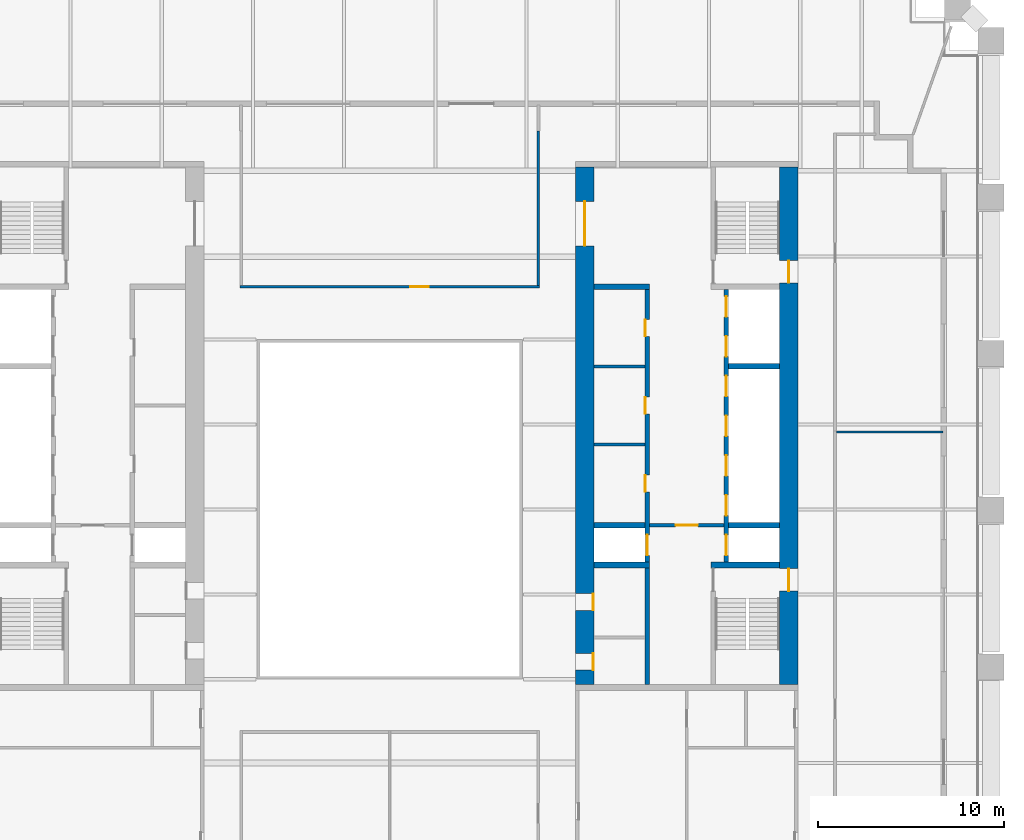
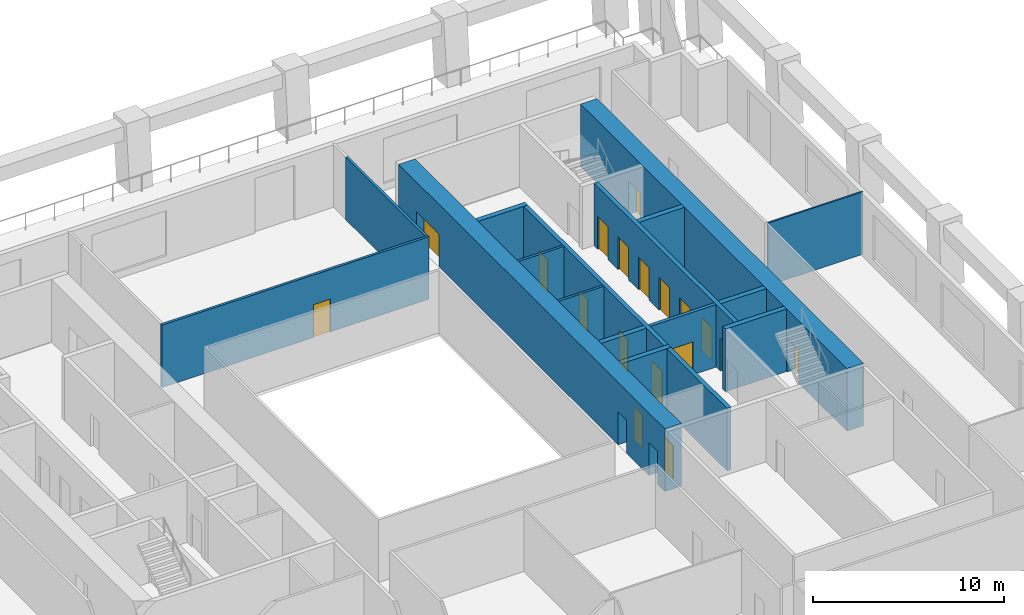
# One storey, part 6 of 8: 18 doors, 16 walls, 18 openings.
"""IFC4 building model written with IfcOpenShell, lengths in metres."""

from ifc_helpers import new_model, si_unit, direction, frame, frame_2d, origin, place, context, subcontext, project, spatial, rectangle, extrude, material, layer, layer_set, type_object, element, fill, save


model = new_model("IFC4")

# Units and contexts
model_context = context("Model", 3, precision=1e-05, world=origin(), true_north=direction((0.0, 1.0)))
body_context = subcontext(model_context, "Body", "Model", "MODEL_VIEW")
ifc_project = project(units=[si_unit("LENGTHUNIT", "METRE"), si_unit("AREAUNIT", "SQUARE_METRE"), si_unit("VOLUMEUNIT", "CUBIC_METRE"), si_unit("PLANEANGLEUNIT", "RADIAN"), si_unit("MASSUNIT", "GRAM", prefix="KILO")], contexts=[model_context])

# Site, building, storey
site_placement = place(None, origin())
site = spatial("IfcSite", under=ifc_project, at=site_placement, CompositionType="ELEMENT")
building_placement = place(site_placement, origin())
building = spatial("IfcBuilding", under=site, at=building_placement, Name="Ogive Exchange Tower", CompositionType="ELEMENT")
storey_placement = place(building_placement, frame((0.0, 0.0, 81.60009765625)))
storey = spatial("IfcBuildingStorey", under=building, at=storey_placement, Name="L17", CompositionType="ELEMENT", Elevation=81.60009765625)

# Walls
ifc_material_1 = material(Name="Gypsum board partition")
ifc_layer_1 = layer(ifc_material_1, 0.14990234375)
ifc_layer_set_1 = layer_set([ifc_layer_1], Name="Core room partition 150 gypsum")
wall_type_1 = type_object("IfcWallType", Name="Core room partition 150 gypsum", PredefinedType="PARTITIONING", material=ifc_layer_set_1)
for number, where, z_axis, x_axis, name in (
    (1, (11.0, 10.5, 0.0), (0.0, 0.0, 1.0), (1.0, 0.0, 0.0), "E row B bay partition 1-1"),
    (2, (11.0, 14.699951171875, 0.0), (0.0, 0.0, 1.0), (1.0, 0.0, 0.0), "E row B bay partition 1-2"),
):
    element("IfcWall", number, at=place(storey_placement, frame(where, z_axis=z_axis, x_axis=x_axis)), inside=storey, type_object=wall_type_1, Name=name, PredefinedType="PARTITIONING", context=body_context, shape_type="SweptSolid", body=[
        extrude(rectangle(XDim=2.75, YDim=0.14990234375, at=frame_2d((1.375, 0.0))), origin(), (0.0, 0.0, 1.0), 4.0),
    ])
ifc_layer_2 = layer(ifc_material_1, 0.300048828125)
ifc_layer_set_2 = layer_set([ifc_layer_2], Name="Core room partition 300 gypsum")
wall_type_2 = type_object("IfcWallType", Name="Core room partition 300 gypsum", PredefinedType="PARTITIONING", material=ifc_layer_set_2)
wall_1_placement = place(storey_placement, frame((11.0, 19.0, 0.0), z_axis=(0.0, 0.0, 1.0), x_axis=(1.0, 0.0, 0.0)))
element("IfcWall", 3, at=wall_1_placement, inside=storey, type_object=wall_type_2, Name="E row B room end wall 7", PredefinedType="PARTITIONING", context=body_context, shape_type="SweptSolid", body=[
    extrude(rectangle(XDim=3.0, YDim=0.300048828125, at=frame_2d((1.5, 0.0))), origin(), (0.0, 0.0, 1.0), 4.0),
])

# Wall, opening, door
ifc_material_2 = material(Name="Fire partition EI 60 150")
ifc_layer_3 = layer(ifc_material_2, 0.14990234375)
ifc_layer_set_3 = layer_set([ifc_layer_3], Name="Fire partition EI 60 150")
wall_type_3 = type_object("IfcWallType", Name="Fire partition EI 60 150", PredefinedType="PARTITIONING", material=ifc_layer_set_3)
wall_2_placement = place(storey_placement, frame((-8.074951171875, 19.0, 0.0), z_axis=(0.0, 0.0, 1.0), x_axis=(1.0, 0.0, 0.0)))
wall_2 = element("IfcWall", 4, at=wall_2_placement, inside=storey, type_object=wall_type_3, Name="L17-PWL-013", PredefinedType="PARTITIONING", context=body_context, shape_type="SweptSolid", body=[
    extrude(rectangle(XDim=16.14990234375, YDim=0.14990234375, at=frame_2d((8.074951171875, 0.0))), origin(), (0.0, 0.0, 1.0), 4.0),
])
opening_1_placement = place(wall_2_placement, frame((9.175048828125, 0.0, 0.0)))
opening_1 = element("IfcOpeningElement", 5, at=opening_1_placement, cuts=wall_2, Name="Opening L17-I09", PredefinedType="OPENING", context=body_context, shape_type="SweptSolid", body=[
    extrude(rectangle(XDim=1.0, YDim=2.10009765625, at=frame_2d((0.5, 1.050048828125))), frame((0.0, 0.0849609375, 0.0), z_axis=(0.0, -1.0, 0.0), x_axis=(1.0, 0.0, 0.0)), (0.0, 0.0, 1.0), 0.169921875),
])
ifc_material_3 = material(Name="Fire door FD 30S 1000 x 2100")
door_type_1 = type_object("IfcDoorType", Name="Fire door FD 30S 1000 x 2100", OperationType="NOTDEFINED", PredefinedType="DOOR", material=ifc_material_3)
door_1_placement = place(opening_1_placement, origin())
door_1 = element("IfcDoor", 6, at=door_1_placement, inside=storey, type_object=door_type_1, Name="L17-IDR-009", ObjectType="DT3", OperationType="SINGLE_SWING_RIGHT", OverallHeight=2.10009765625, OverallWidth=1.0, PredefinedType="DOOR", context=body_context, shape_type="SweptSolid", body=[
    extrude(rectangle(XDim=1.0, YDim=2.10009765625, at=frame_2d((0.5, 1.050048828125))), frame((0.0, 0.02490234375, 0.0), z_axis=(0.0, -1.0, 0.0), x_axis=(1.0, 0.0, 0.0)), (0.0, 0.0, 1.0), 0.050048828125),
])
fill(opening_1, door_1)

# Walls
wall_3_placement = place(storey_placement, frame((8.0, 19.074951171875, 0.0), z_axis=(0.0, 0.0, 1.0), x_axis=(0.0, 1.0, 0.0)))
element("IfcWall", 7, at=wall_3_placement, inside=storey, type_object=wall_type_3, Name="L17-PWL-024", PredefinedType="PARTITIONING", context=body_context, shape_type="SweptSolid", body=[
    extrude(rectangle(XDim=8.324951171875, YDim=0.14990234375, at=frame_2d((4.16259765625, 0.0))), origin(), (0.0, 0.0, 1.0), 4.0),
])
ifc_material_4 = material(Name="Partition 100 gypsum")
ifc_layer_4 = layer(ifc_material_4, 0.10009765625)
ifc_layer_set_4 = layer_set([ifc_layer_4], Name="Partition 100 gypsum")
wall_type_4 = type_object("IfcWallType", Name="Partition 100 gypsum", PredefinedType="PARTITIONING", material=ifc_layer_set_4)
wall_4_placement = place(storey_placement, frame((24.074951171875, 11.169921875, 0.0), z_axis=(0.0, 0.0, 1.0), x_axis=(1.0, 0.0, 0.0)))
element("IfcWall", 8, at=wall_4_placement, inside=storey, type_object=wall_type_4, Name="L17-PWL-034", PredefinedType="PARTITIONING", context=body_context, shape_type="SweptSolid", body=[
    extrude(rectangle(XDim=5.72509765625, YDim=0.10009765625, at=frame_2d((2.862548828125, 0.0))), origin(), (0.0, 0.0, 1.0), 4.0),
])

# Wall, openings, doors
ifc_material_5 = material(Name="Concrete C70/85", Category="concrete")
ifc_layer_5 = layer(ifc_material_5, 1.0)
ifc_layer_set_5 = layer_set([ifc_layer_5], Name="RC core wall 1000 C70/85")
wall_type_5 = type_object("IfcWallType", Name="RC core wall 1000 C70/85", PredefinedType="SHEAR", material=ifc_layer_set_5)
wall_5_placement = place(storey_placement, frame((21.5, -2.449951171875, 0.0), z_axis=(0.0, 0.0, 1.0), x_axis=(0.0, 1.0, 0.0)))
wall_5 = element("IfcWall", 9, at=wall_5_placement, inside=storey, type_object=wall_type_5, Name="E outer wall", PredefinedType="SHEAR", context=body_context, shape_type="SweptSolid", body=[
    extrude(rectangle(XDim=27.89990234375, YDim=1.0, at=frame_2d((13.949951171875, 0.0))), origin(), (0.0, 0.0, 1.0), 4.0),
])
opening_2_placement = place(wall_5_placement, frame((5.050048828125, 0.0, 0.0)))
opening_2 = element("IfcOpeningElement", 10, at=opening_2_placement, cuts=wall_5, Name="Opening L17-C36", PredefinedType="OPENING", context=body_context, shape_type="SweptSolid", body=[
    extrude(rectangle(XDim=1.199951171875, YDim=2.10009765625, at=frame_2d((0.60009765625, 1.050048828125))), frame((0.0, 0.510009765625, 0.0), z_axis=(0.0, -1.0, 0.0), x_axis=(1.0, 0.0, 0.0)), (0.0, 0.0, 1.0), 1.02001953125),
])
opening_3_placement = place(wall_5_placement, frame((21.64990234375, 0.0, 0.0)))
opening_3 = element("IfcOpeningElement", 11, at=opening_3_placement, cuts=wall_5, Name="Opening L17-C38", PredefinedType="OPENING", context=body_context, shape_type="SweptSolid", body=[
    extrude(rectangle(XDim=1.199951171875, YDim=2.10009765625, at=frame_2d((0.60009765625, 1.050048828125))), frame((0.0, 0.510009765625, 0.0), z_axis=(0.0, -1.0, 0.0), x_axis=(1.0, 0.0, 0.0)), (0.0, 0.0, 1.0), 1.02001953125),
])
ifc_material_6 = material(Name="Steel fire door", Category="steel")
door_type_2 = type_object("IfcDoorType", Name="Stair door FD90 1200 x 2100", OperationType="NOTDEFINED", PredefinedType="DOOR", material=ifc_material_6)
door_2_placement = place(opening_2_placement, origin())
door_2 = element("IfcDoor", 12, at=door_2_placement, inside=storey, type_object=door_type_2, Name="Stair door", ObjectType="CD5", OperationType="SINGLE_SWING_LEFT", OverallHeight=2.10009765625, OverallWidth=1.199951171875, PredefinedType="DOOR", context=body_context, shape_type="SweptSolid", body=[
    extrude(rectangle(XDim=1.199951171875, YDim=2.10009765625, at=frame_2d((0.60009765625, 1.050048828125))), frame((0.0, 0.02490234375, 0.0), z_axis=(0.0, -1.0, 0.0), x_axis=(1.0, 0.0, 0.0)), (0.0, 0.0, 1.0), 0.050048828125),
])
fill(opening_2, door_2)
door_3_placement = place(opening_3_placement, origin())
door_3 = element("IfcDoor", 13, at=door_3_placement, inside=storey, type_object=door_type_2, Name="Stair door", ObjectType="CD5", OperationType="SINGLE_SWING_RIGHT", OverallHeight=2.10009765625, OverallWidth=1.199951171875, PredefinedType="DOOR", context=body_context, shape_type="SweptSolid", body=[
    extrude(rectangle(XDim=1.199951171875, YDim=2.10009765625, at=frame_2d((0.60009765625, 1.050048828125))), frame((0.0, 0.02490234375, 0.0), z_axis=(0.0, -1.0, 0.0), x_axis=(1.0, 0.0, 0.0)), (0.0, 0.0, 1.0), 0.050048828125),
])
fill(opening_3, door_3)

wall_6_placement = place(storey_placement, frame((10.5, -2.449951171875, 0.0), z_axis=(0.0, 0.0, 1.0), x_axis=(0.0, 1.0, 0.0)))
wall_6 = element("IfcWall", 14, at=wall_6_placement, inside=storey, type_object=wall_type_5, Name="E inner wall", PredefinedType="SHEAR", context=body_context, shape_type="SweptSolid", body=[
    extrude(rectangle(XDim=27.89990234375, YDim=1.0, at=frame_2d((13.949951171875, 0.0))), origin(), (0.0, 0.0, 1.0), 4.0),
])
opening_4_placement = place(wall_6_placement, frame((23.64990234375, 0.0, 0.0)))
opening_4 = element("IfcOpeningElement", 15, at=opening_4_placement, cuts=wall_6, Name="Opening L17-C34", PredefinedType="OPENING", context=body_context, shape_type="SweptSolid", body=[
    extrude(rectangle(XDim=2.39990234375, YDim=2.10009765625, at=frame_2d((1.199951171875, 1.050048828125))), frame((0.0, 0.510009765625, 0.0), z_axis=(0.0, -1.0, 0.0), x_axis=(1.0, 0.0, 0.0)), (0.0, 0.0, 1.0), 1.02001953125),
])
opening_5_placement = place(wall_6_placement, frame((0.78759765625, 0.0, 0.0)))
opening_5 = element("IfcOpeningElement", 16, at=opening_5_placement, cuts=wall_6, Name="Opening L17-C39", PredefinedType="OPENING", context=body_context, shape_type="SweptSolid", body=[
    extrude(rectangle(XDim=0.89990234375, YDim=2.10009765625, at=frame_2d((0.449951171875, 1.050048828125))), frame((0.0, 0.510009765625, 0.0), z_axis=(0.0, -1.0, 0.0), x_axis=(1.0, 0.0, 0.0)), (0.0, 0.0, 1.0), 1.02001953125),
])
opening_6_placement = place(wall_6_placement, frame((4.012451171875, 0.0, 0.0)))
opening_6 = element("IfcOpeningElement", 17, at=opening_6_placement, cuts=wall_6, Name="Opening L17-C40", PredefinedType="OPENING", context=body_context, shape_type="SweptSolid", body=[
    extrude(rectangle(XDim=0.89990234375, YDim=2.10009765625, at=frame_2d((0.449951171875, 1.050048828125))), frame((0.0, 0.510009765625, 0.0), z_axis=(0.0, -1.0, 0.0), x_axis=(1.0, 0.0, 0.0)), (0.0, 0.0, 1.0), 1.02001953125),
])
ifc_material_7 = material(Name="Timber fire door", Category="wood")
door_type_3 = type_object("IfcDoorType", Name="Core room door FD30S 900 x 2100", OperationType="NOTDEFINED", PredefinedType="DOOR", material=ifc_material_7)
door_4_placement = place(opening_5_placement, frame((0.89990234375, -0.9501953125, 0.0), z_axis=(0.0, 0.0, 1.0), x_axis=(-1.0, 0.0, 0.0)))
door_4 = element("IfcDoor", 18, at=door_4_placement, inside=storey, type_object=door_type_3, Name="Core room door", ObjectType="CD6", OperationType="SINGLE_SWING_RIGHT", OverallHeight=2.10009765625, OverallWidth=0.89990234375, PredefinedType="DOOR", context=body_context, shape_type="SweptSolid", body=[
    extrude(rectangle(XDim=0.89990234375, YDim=2.10009765625, at=frame_2d((0.449951171875, 1.050048828125))), frame((0.0, -0.4501953125, 0.0), z_axis=(0.0, -1.0, 0.0), x_axis=(1.0, 0.0, 0.0)), (0.0, 0.0, 1.0), 0.050048828125),
])
fill(opening_5, door_4)
ifc_material_8 = material(Name="Glazed steel fire door", Category="steel")
door_type_4 = type_object("IfcDoorType", Name="Lift lobby double door FD60 2400 x 2100", OperationType="DOUBLE_DOOR_SINGLE_SWING", PredefinedType="DOOR", material=ifc_material_8)
door_5_placement = place(opening_4_placement, frame((2.39990234375, 0.0, 0.0), z_axis=(0.0, 0.0, 1.0), x_axis=(-1.0, 0.0, 0.0)))
door_5 = element("IfcDoor", 19, at=door_5_placement, inside=storey, type_object=door_type_4, Name="Lift lobby double door", ObjectType="CD4", OperationType="DOUBLE_DOOR_SINGLE_SWING", OverallHeight=2.10009765625, OverallWidth=2.39990234375, PredefinedType="DOOR", context=body_context, shape_type="SweptSolid", body=[
    extrude(rectangle(XDim=2.39990234375, YDim=2.10009765625, at=frame_2d((1.199951171875, 1.050048828125))), frame((0.0, 0.02490234375, 0.0), z_axis=(0.0, -1.0, 0.0), x_axis=(1.0, 0.0, 0.0)), (0.0, 0.0, 1.0), 0.050048828125),
])
fill(opening_4, door_5)
door_type_5 = type_object("IfcDoorType", Name="Riser door FD60 900 x 2100", OperationType="NOTDEFINED", PredefinedType="DOOR", material=ifc_material_6)
door_6_placement = place(opening_6_placement, frame((0.89990234375, -0.9501953125, 0.0), z_axis=(0.0, 0.0, 1.0), x_axis=(-1.0, 0.0, 0.0)))
door_6 = element("IfcDoor", 20, at=door_6_placement, inside=storey, type_object=door_type_5, Name="Riser door", ObjectType="CD2", OperationType="SINGLE_SWING_LEFT", OverallHeight=2.10009765625, OverallWidth=0.89990234375, PredefinedType="DOOR", context=body_context, shape_type="SweptSolid", body=[
    extrude(rectangle(XDim=0.89990234375, YDim=2.10009765625, at=frame_2d((0.449951171875, 1.050048828125))), frame((0.0, -0.4501953125, 0.0), z_axis=(0.0, -1.0, 0.0), x_axis=(1.0, 0.0, 0.0)), (0.0, 0.0, 1.0), 0.050048828125),
])
fill(opening_6, door_6)

# Wall, opening, door
ifc_layer_6 = layer(ifc_material_5, 0.199951171875)
ifc_layer_set_6 = layer_set([ifc_layer_6], Name="RC core wall 200 C70/85")
wall_type_6 = type_object("IfcWallType", Name="RC core wall 200 C70/85", PredefinedType="SHEAR", material=ifc_layer_set_6)
wall_7_placement = place(storey_placement, frame((14.0, 6.142822265625, 0.0), z_axis=(0.0, 0.0, 1.0), x_axis=(1.0, 0.0, 0.0)))
wall_7 = element("IfcWall", 21, at=wall_7_placement, inside=storey, type_object=wall_type_6, Name="E firefighting lobby wall", PredefinedType="SHEAR", context=body_context, shape_type="SweptSolid", body=[
    extrude(rectangle(XDim=4.0, YDim=0.199951171875, at=frame_2d((2.0, 0.0))), origin(), (0.0, 0.0, 1.0), 4.0),
])
opening_7_placement = place(wall_7_placement, frame((1.39990234375, 0.0, 0.0)))
opening_7 = element("IfcOpeningElement", 22, at=opening_7_placement, cuts=wall_7, Name="Opening L17-C33", PredefinedType="OPENING", context=body_context, shape_type="SweptSolid", body=[
    extrude(rectangle(XDim=1.199951171875, YDim=2.10009765625, at=frame_2d((0.60009765625, 1.050048828125))), frame((0.0, 0.10986328125, 0.0), z_axis=(0.0, -1.0, 0.0), x_axis=(1.0, 0.0, 0.0)), (0.0, 0.0, 1.0), 0.219970703125),
])
door_type_6 = type_object("IfcDoorType", Name="Firefighting lobby door FD60 1200 x 2100", OperationType="NOTDEFINED", PredefinedType="DOOR", material=ifc_material_6)
door_7_placement = place(opening_7_placement, frame((1.199951171875, 0.0, 0.0), z_axis=(0.0, 0.0, 1.0), x_axis=(-1.0, 0.0, 0.0)))
door_7 = element("IfcDoor", 23, at=door_7_placement, inside=storey, type_object=door_type_6, Name="Firefighting lobby door", ObjectType="CD3", OperationType="SINGLE_SWING_RIGHT", OverallHeight=2.10009765625, OverallWidth=1.199951171875, PredefinedType="DOOR", context=body_context, shape_type="SweptSolid", body=[
    extrude(rectangle(XDim=1.199951171875, YDim=2.10009765625, at=frame_2d((0.60009765625, 1.050048828125))), frame((0.0, 0.02490234375, 0.0), z_axis=(0.0, -1.0, 0.0), x_axis=(1.0, 0.0, 0.0)), (0.0, 0.0, 1.0), 0.050048828125),
])
fill(opening_7, door_7)

# Wall, openings, doors
ifc_layer_7 = layer(ifc_material_5, 0.25)
ifc_layer_set_7 = layer_set([ifc_layer_7], Name="RC core wall 250 C70/85")
wall_type_7 = type_object("IfcWallType", Name="RC core wall 250 C70/85", PredefinedType="SHEAR", material=ifc_layer_set_7)
wall_8_placement = place(storey_placement, frame((18.125, 4.14990234375, 0.0), z_axis=(0.0, 0.0, 1.0), x_axis=(0.0, 1.0, 0.0)))
wall_8 = element("IfcWall", 24, at=wall_8_placement, inside=storey, type_object=wall_type_7, Name="E row A front wall", PredefinedType="SHEAR", context=body_context, shape_type="SweptSolid", body=[
    extrude(rectangle(XDim=14.7001953125, YDim=0.25, at=frame_2d((7.35009765625, 0.0))), origin(), (0.0, 0.0, 1.0), 4.0),
])
opening_8_placement = place(wall_8_placement, frame((0.371337890625, 0.0, 0.0)))
opening_8 = element("IfcOpeningElement", 25, at=opening_8_placement, cuts=wall_8, Name="Opening L17-C22", PredefinedType="OPENING", context=body_context, shape_type="SweptSolid", body=[
    extrude(rectangle(XDim=1.10009765625, YDim=2.10009765625, at=frame_2d((0.550048828125, 1.050048828125))), frame((0.0, 0.135009765625, 0.0), z_axis=(0.0, -1.0, 0.0), x_axis=(1.0, 0.0, 0.0)), (0.0, 0.0, 1.0), 0.27001953125),
])
opening_9_placement = place(wall_8_placement, frame((2.514404296875, 0.0, 0.0)))
opening_9 = element("IfcOpeningElement", 26, at=opening_9_placement, cuts=wall_8, Name="Opening L17-C23", PredefinedType="OPENING", context=body_context, shape_type="SweptSolid", body=[
    extrude(rectangle(XDim=1.10009765625, YDim=2.10009765625, at=frame_2d((0.550048828125, 1.050048828125))), frame((0.0, 0.135009765625, 0.0), z_axis=(0.0, -1.0, 0.0), x_axis=(1.0, 0.0, 0.0)), (0.0, 0.0, 1.0), 0.27001953125),
])
opening_10_placement = place(wall_8_placement, frame((4.656982421875, 0.0, 0.0)))
opening_10 = element("IfcOpeningElement", 27, at=opening_10_placement, cuts=wall_8, Name="Opening L17-C24", PredefinedType="OPENING", context=body_context, shape_type="SweptSolid", body=[
    extrude(rectangle(XDim=1.10009765625, YDim=2.10009765625, at=frame_2d((0.550048828125, 1.050048828125))), frame((0.0, 0.135009765625, 0.0), z_axis=(0.0, -1.0, 0.0), x_axis=(1.0, 0.0, 0.0)), (0.0, 0.0, 1.0), 0.27001953125),
])
opening_11_placement = place(wall_8_placement, frame((6.800048828125, 0.0, 0.0)))
opening_11 = element("IfcOpeningElement", 28, at=opening_11_placement, cuts=wall_8, Name="Opening L17-C25", PredefinedType="OPENING", context=body_context, shape_type="SweptSolid", body=[
    extrude(rectangle(XDim=1.10009765625, YDim=2.10009765625, at=frame_2d((0.550048828125, 1.050048828125))), frame((0.0, 0.135009765625, 0.0), z_axis=(0.0, -1.0, 0.0), x_axis=(1.0, 0.0, 0.0)), (0.0, 0.0, 1.0), 0.27001953125),
])
opening_12_placement = place(wall_8_placement, frame((8.94287109375, 0.0, 0.0)))
opening_12 = element("IfcOpeningElement", 29, at=opening_12_placement, cuts=wall_8, Name="Opening L17-C26", PredefinedType="OPENING", context=body_context, shape_type="SweptSolid", body=[
    extrude(rectangle(XDim=1.10009765625, YDim=2.10009765625, at=frame_2d((0.550048828125, 1.050048828125))), frame((0.0, 0.135009765625, 0.0), z_axis=(0.0, -1.0, 0.0), x_axis=(1.0, 0.0, 0.0)), (0.0, 0.0, 1.0), 0.27001953125),
])
opening_13_placement = place(wall_8_placement, frame((11.085693359375, 0.0, 0.0)))
opening_13 = element("IfcOpeningElement", 30, at=opening_13_placement, cuts=wall_8, Name="Opening L17-C27", PredefinedType="OPENING", context=body_context, shape_type="SweptSolid", body=[
    extrude(rectangle(XDim=1.10009765625, YDim=2.10009765625, at=frame_2d((0.550048828125, 1.050048828125))), frame((0.0, 0.135009765625, 0.0), z_axis=(0.0, -1.0, 0.0), x_axis=(1.0, 0.0, 0.0)), (0.0, 0.0, 1.0), 0.27001953125),
])
opening_14_placement = place(wall_8_placement, frame((13.228515625, 0.0, 0.0)))
opening_14 = element("IfcOpeningElement", 31, at=opening_14_placement, cuts=wall_8, Name="Opening L17-C28", PredefinedType="OPENING", context=body_context, shape_type="SweptSolid", body=[
    extrude(rectangle(XDim=1.10009765625, YDim=2.10009765625, at=frame_2d((0.550048828125, 1.050048828125))), frame((0.0, 0.135009765625, 0.0), z_axis=(0.0, -1.0, 0.0), x_axis=(1.0, 0.0, 0.0)), (0.0, 0.0, 1.0), 0.27001953125),
])
ifc_material_9 = material(Name="Stainless steel", Category="steel")
door_type_7 = type_object("IfcDoorType", Name="Lift landing door FD90 1100 x 2100", OperationType="SLIDING_TO_LEFT", PredefinedType="DOOR", material=ifc_material_9)
door_8_placement = place(opening_8_placement, origin())
door_8 = element("IfcDoor", 32, at=door_8_placement, inside=storey, type_object=door_type_7, Name="Lift landing door FF2", ObjectType="LD", OperationType="SLIDING_TO_LEFT", OverallHeight=2.10009765625, OverallWidth=1.10009765625, PredefinedType="DOOR", context=body_context, shape_type="SweptSolid", body=[
    extrude(rectangle(XDim=1.10009765625, YDim=2.10009765625, at=frame_2d((0.550048828125, 1.050048828125))), frame((0.0, 0.02490234375, 0.0), z_axis=(0.0, -1.0, 0.0), x_axis=(1.0, 0.0, 0.0)), (0.0, 0.0, 1.0), 0.050048828125),
])
fill(opening_8, door_8)
door_9_placement = place(opening_9_placement, origin())
door_9 = element("IfcDoor", 33, at=door_9_placement, inside=storey, type_object=door_type_7, Name="Lift landing door E-L1", ObjectType="LD", OperationType="SLIDING_TO_LEFT", OverallHeight=2.10009765625, OverallWidth=1.10009765625, PredefinedType="DOOR", context=body_context, shape_type="SweptSolid", body=[
    extrude(rectangle(XDim=1.10009765625, YDim=2.10009765625, at=frame_2d((0.550048828125, 1.050048828125))), frame((0.0, 0.02490234375, 0.0), z_axis=(0.0, -1.0, 0.0), x_axis=(1.0, 0.0, 0.0)), (0.0, 0.0, 1.0), 0.050048828125),
])
fill(opening_9, door_9)
door_10_placement = place(opening_10_placement, origin())
door_10 = element("IfcDoor", 34, at=door_10_placement, inside=storey, type_object=door_type_7, Name="Lift landing door E-L2", ObjectType="LD", OperationType="SLIDING_TO_LEFT", OverallHeight=2.10009765625, OverallWidth=1.10009765625, PredefinedType="DOOR", context=body_context, shape_type="SweptSolid", body=[
    extrude(rectangle(XDim=1.10009765625, YDim=2.10009765625, at=frame_2d((0.550048828125, 1.050048828125))), frame((0.0, 0.02490234375, 0.0), z_axis=(0.0, -1.0, 0.0), x_axis=(1.0, 0.0, 0.0)), (0.0, 0.0, 1.0), 0.050048828125),
])
fill(opening_10, door_10)
door_11_placement = place(opening_11_placement, origin())
door_11 = element("IfcDoor", 35, at=door_11_placement, inside=storey, type_object=door_type_7, Name="Lift landing door E-L3", ObjectType="LD", OperationType="SLIDING_TO_LEFT", OverallHeight=2.10009765625, OverallWidth=1.10009765625, PredefinedType="DOOR", context=body_context, shape_type="SweptSolid", body=[
    extrude(rectangle(XDim=1.10009765625, YDim=2.10009765625, at=frame_2d((0.550048828125, 1.050048828125))), frame((0.0, 0.02490234375, 0.0), z_axis=(0.0, -1.0, 0.0), x_axis=(1.0, 0.0, 0.0)), (0.0, 0.0, 1.0), 0.050048828125),
])
fill(opening_11, door_11)
door_12_placement = place(opening_12_placement, origin())
door_12 = element("IfcDoor", 36, at=door_12_placement, inside=storey, type_object=door_type_7, Name="Lift landing door E-L4", ObjectType="LD", OperationType="SLIDING_TO_LEFT", OverallHeight=2.10009765625, OverallWidth=1.10009765625, PredefinedType="DOOR", context=body_context, shape_type="SweptSolid", body=[
    extrude(rectangle(XDim=1.10009765625, YDim=2.10009765625, at=frame_2d((0.550048828125, 1.050048828125))), frame((0.0, 0.02490234375, 0.0), z_axis=(0.0, -1.0, 0.0), x_axis=(1.0, 0.0, 0.0)), (0.0, 0.0, 1.0), 0.050048828125),
])
fill(opening_12, door_12)
door_13_placement = place(opening_13_placement, origin())
door_13 = element("IfcDoor", 37, at=door_13_placement, inside=storey, type_object=door_type_7, Name="Lift landing door E-SH1", ObjectType="LD", OperationType="SLIDING_TO_LEFT", OverallHeight=2.10009765625, OverallWidth=1.10009765625, PredefinedType="DOOR", context=body_context, shape_type="SweptSolid", body=[
    extrude(rectangle(XDim=1.10009765625, YDim=2.10009765625, at=frame_2d((0.550048828125, 1.050048828125))), frame((0.0, 0.02490234375, 0.0), z_axis=(0.0, -1.0, 0.0), x_axis=(1.0, 0.0, 0.0)), (0.0, 0.0, 1.0), 0.050048828125),
])
fill(opening_13, door_13)
door_14_placement = place(opening_14_placement, origin())
door_14 = element("IfcDoor", 38, at=door_14_placement, inside=storey, type_object=door_type_7, Name="Lift landing door E-SH2", ObjectType="LD", OperationType="SLIDING_TO_LEFT", OverallHeight=2.10009765625, OverallWidth=1.10009765625, PredefinedType="DOOR", context=body_context, shape_type="SweptSolid", body=[
    extrude(rectangle(XDim=1.10009765625, YDim=2.10009765625, at=frame_2d((0.550048828125, 1.050048828125))), frame((0.0, 0.02490234375, 0.0), z_axis=(0.0, -1.0, 0.0), x_axis=(1.0, 0.0, 0.0)), (0.0, 0.0, 1.0), 0.050048828125),
])
fill(opening_14, door_14)

wall_9_placement = place(storey_placement, frame((13.875, -2.449951171875, 0.0), z_axis=(0.0, 0.0, 1.0), x_axis=(0.0, 1.0, 0.0)))
wall_9 = element("IfcWall", 39, at=wall_9_placement, inside=storey, type_object=wall_type_7, Name="E row B front wall", PredefinedType="SHEAR", context=body_context, shape_type="SweptSolid", body=[
    extrude(rectangle(XDim=21.300048828125, YDim=0.25, at=frame_2d((10.64990234375, 0.0))), origin(), (0.0, 0.0, 1.0), 4.0),
])
opening_15_placement = place(wall_9_placement, frame((10.396484375, 0.0, 0.0)))
opening_15 = element("IfcOpeningElement", 40, at=opening_15_placement, cuts=wall_9, Name="Opening L17-C29", PredefinedType="OPENING", context=body_context, shape_type="SweptSolid", body=[
    extrude(rectangle(XDim=0.89990234375, YDim=2.10009765625, at=frame_2d((0.449951171875, 1.050048828125))), frame((0.0, 0.135009765625, 0.0), z_axis=(0.0, -1.0, 0.0), x_axis=(1.0, 0.0, 0.0)), (0.0, 0.0, 1.0), 0.27001953125),
])
opening_16_placement = place(wall_9_placement, frame((14.60009765625, 0.0, 0.0)))
opening_16 = element("IfcOpeningElement", 41, at=opening_16_placement, cuts=wall_9, Name="Opening L17-C30", PredefinedType="OPENING", context=body_context, shape_type="SweptSolid", body=[
    extrude(rectangle(XDim=0.89990234375, YDim=2.10009765625, at=frame_2d((0.449951171875, 1.050048828125))), frame((0.0, 0.135009765625, 0.0), z_axis=(0.0, -1.0, 0.0), x_axis=(1.0, 0.0, 0.0)), (0.0, 0.0, 1.0), 0.27001953125),
])
opening_17_placement = place(wall_9_placement, frame((18.77490234375, 0.0, 0.0)))
opening_17 = element("IfcOpeningElement", 42, at=opening_17_placement, cuts=wall_9, Name="Opening L17-C31", PredefinedType="OPENING", context=body_context, shape_type="SweptSolid", body=[
    extrude(rectangle(XDim=0.89990234375, YDim=2.10009765625, at=frame_2d((0.449951171875, 1.050048828125))), frame((0.0, 0.135009765625, 0.0), z_axis=(0.0, -1.0, 0.0), x_axis=(1.0, 0.0, 0.0)), (0.0, 0.0, 1.0), 0.27001953125),
])
opening_18_placement = place(wall_9_placement, frame((6.971435546875, 0.0, 0.0)))
opening_18 = element("IfcOpeningElement", 43, at=opening_18_placement, cuts=wall_9, Name="Opening L17-C32", PredefinedType="OPENING", context=body_context, shape_type="SweptSolid", body=[
    extrude(rectangle(XDim=1.10009765625, YDim=2.10009765625, at=frame_2d((0.550048828125, 1.050048828125))), frame((0.0, 0.135009765625, 0.0), z_axis=(0.0, -1.0, 0.0), x_axis=(1.0, 0.0, 0.0)), (0.0, 0.0, 1.0), 0.27001953125),
])
door_15_placement = place(opening_16_placement, origin())
door_15 = element("IfcDoor", 44, at=door_15_placement, inside=storey, type_object=door_type_3, Name="Core room door", ObjectType="CD6", OperationType="SINGLE_SWING_LEFT", OverallHeight=2.10009765625, OverallWidth=0.89990234375, PredefinedType="DOOR", context=body_context, shape_type="SweptSolid", body=[
    extrude(rectangle(XDim=0.89990234375, YDim=2.10009765625, at=frame_2d((0.449951171875, 1.050048828125))), frame((0.0, 0.125, 0.0), z_axis=(0.0, -1.0, 0.0), x_axis=(1.0, 0.0, 0.0)), (0.0, 0.0, 1.0), 0.050048828125),
])
fill(opening_16, door_15)
door_16_placement = place(opening_18_placement, origin())
door_16 = element("IfcDoor", 45, at=door_16_placement, inside=storey, type_object=door_type_7, Name="Lift landing door SV2", ObjectType="LD", OperationType="SLIDING_TO_LEFT", OverallHeight=2.10009765625, OverallWidth=1.10009765625, PredefinedType="DOOR", context=body_context, shape_type="SweptSolid", body=[
    extrude(rectangle(XDim=1.10009765625, YDim=2.10009765625, at=frame_2d((0.550048828125, 1.050048828125))), frame((0.0, 0.02490234375, 0.0), z_axis=(0.0, -1.0, 0.0), x_axis=(1.0, 0.0, 0.0)), (0.0, 0.0, 1.0), 0.050048828125),
])
fill(opening_18, door_16)
door_17_placement = place(opening_15_placement, origin())
door_17 = element("IfcDoor", 46, at=door_17_placement, inside=storey, type_object=door_type_5, Name="Riser door", ObjectType="CD2", OperationType="SINGLE_SWING_RIGHT", OverallHeight=2.10009765625, OverallWidth=0.89990234375, PredefinedType="DOOR", context=body_context, shape_type="SweptSolid", body=[
    extrude(rectangle(XDim=0.89990234375, YDim=2.10009765625, at=frame_2d((0.449951171875, 1.050048828125))), frame((0.0, 0.125, 0.0), z_axis=(0.0, -1.0, 0.0), x_axis=(1.0, 0.0, 0.0)), (0.0, 0.0, 1.0), 0.050048828125),
])
fill(opening_15, door_17)
door_18_placement = place(opening_17_placement, origin())
door_18 = element("IfcDoor", 47, at=door_18_placement, inside=storey, type_object=door_type_5, Name="Riser door", ObjectType="CD2", OperationType="SINGLE_SWING_LEFT", OverallHeight=2.10009765625, OverallWidth=0.89990234375, PredefinedType="DOOR", context=body_context, shape_type="SweptSolid", body=[
    extrude(rectangle(XDim=0.89990234375, YDim=2.10009765625, at=frame_2d((0.449951171875, 1.050048828125))), frame((0.0, 0.125, 0.0), z_axis=(0.0, -1.0, 0.0), x_axis=(1.0, 0.0, 0.0)), (0.0, 0.0, 1.0), 0.050048828125),
])
fill(opening_17, door_18)

# Walls
ifc_layer_8 = layer(ifc_material_5, 0.300048828125)
ifc_layer_set_8 = layer_set([ifc_layer_8], Name="RC core wall 300 C70/85")
wall_type_8 = type_object("IfcWallType", Name="RC core wall 300 C70/85", PredefinedType="SHEAR", material=ifc_layer_set_8)
wall_10_placement = place(storey_placement, frame((17.300048828125, 4.0, 0.0), z_axis=(0.0, 0.0, 1.0), x_axis=(1.0, 0.0, 0.0)))
element("IfcWall", 48, at=wall_10_placement, inside=storey, type_object=wall_type_8, Name="E stair S north wall", PredefinedType="SHEAR", context=body_context, shape_type="SweptSolid", body=[
    extrude(rectangle(XDim=3.699951171875, YDim=0.300048828125, at=frame_2d((1.85009765625, 0.0))), origin(), (0.0, 0.0, 1.0), 4.0),
])
for number, where, z_axis, x_axis, name in (
    (49, (18.25, 6.142822265625, 0.0), (0.0, 0.0, 1.0), (1.0, 0.0, 0.0), "E row A divider 1"),
    (50, (18.25, 14.71435546875, 0.0), (0.0, 0.0, 1.0), (1.0, 0.0, 0.0), "E row A divider 5"),
):
    element("IfcWall", number, at=place(storey_placement, frame(where, z_axis=z_axis, x_axis=x_axis)), inside=storey, type_object=wall_type_8, Name=name, PredefinedType="SHEAR", context=body_context, shape_type="SweptSolid", body=[
        extrude(rectangle(XDim=2.75, YDim=0.300048828125, at=frame_2d((1.375, 0.0))), origin(), (0.0, 0.0, 1.0), 4.0),
    ])
wall_11_placement = place(storey_placement, frame((11.0, 4.0, 0.0), z_axis=(0.0, 0.0, 1.0), x_axis=(1.0, 0.0, 0.0)))
element("IfcWall", 51, at=wall_11_placement, inside=storey, type_object=wall_type_8, Name="E row B divider 0", PredefinedType="SHEAR", context=body_context, shape_type="SweptSolid", body=[
    extrude(rectangle(XDim=3.0, YDim=0.300048828125, at=frame_2d((1.5, 0.0))), origin(), (0.0, 0.0, 1.0), 4.0),
])
wall_12_placement = place(storey_placement, frame((11.0, 6.142822265625, 0.0), z_axis=(0.0, 0.0, 1.0), x_axis=(1.0, 0.0, 0.0)))
element("IfcWall", 52, at=wall_12_placement, inside=storey, type_object=wall_type_8, Name="E row B divider 1", PredefinedType="SHEAR", context=body_context, shape_type="SweptSolid", body=[
    extrude(rectangle(XDim=2.75, YDim=0.300048828125, at=frame_2d((1.375, 0.0))), origin(), (0.0, 0.0, 1.0), 4.0),
])

save(model, "model.ifc")
